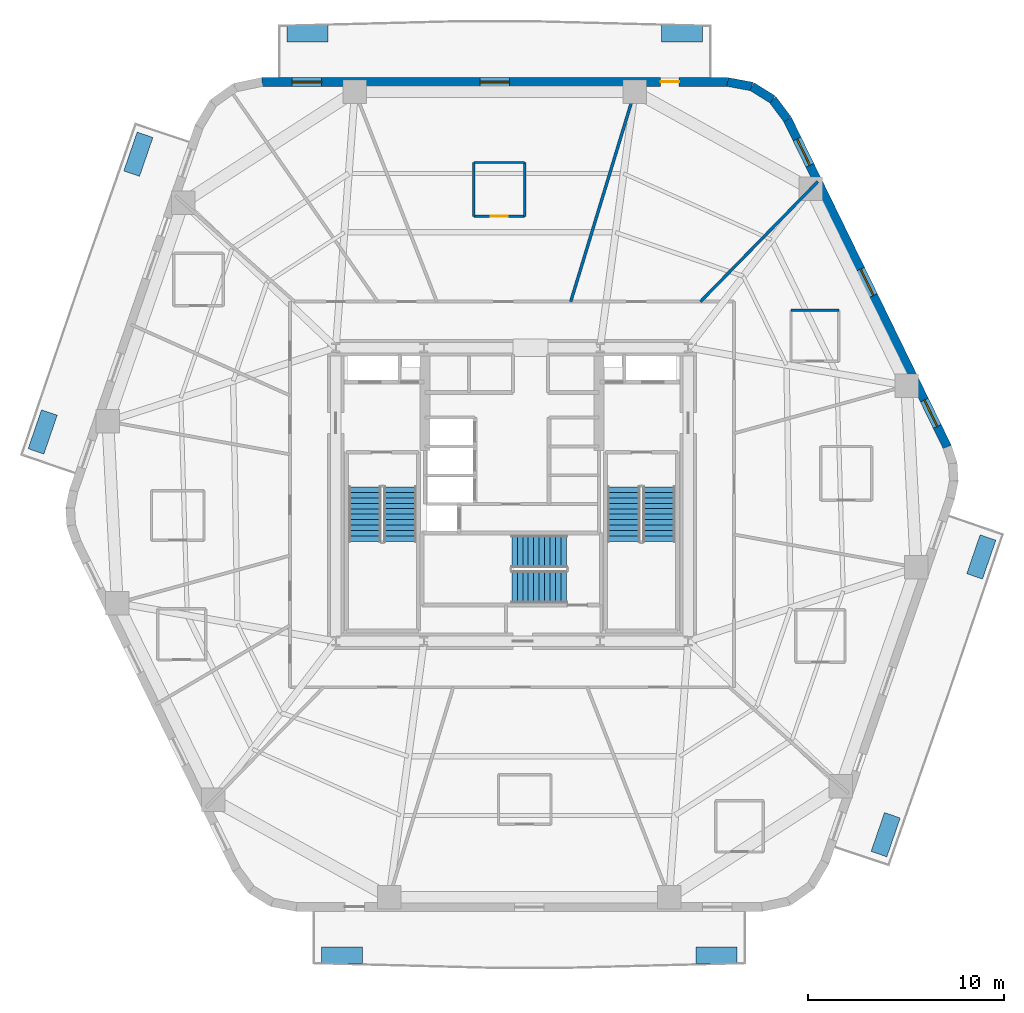
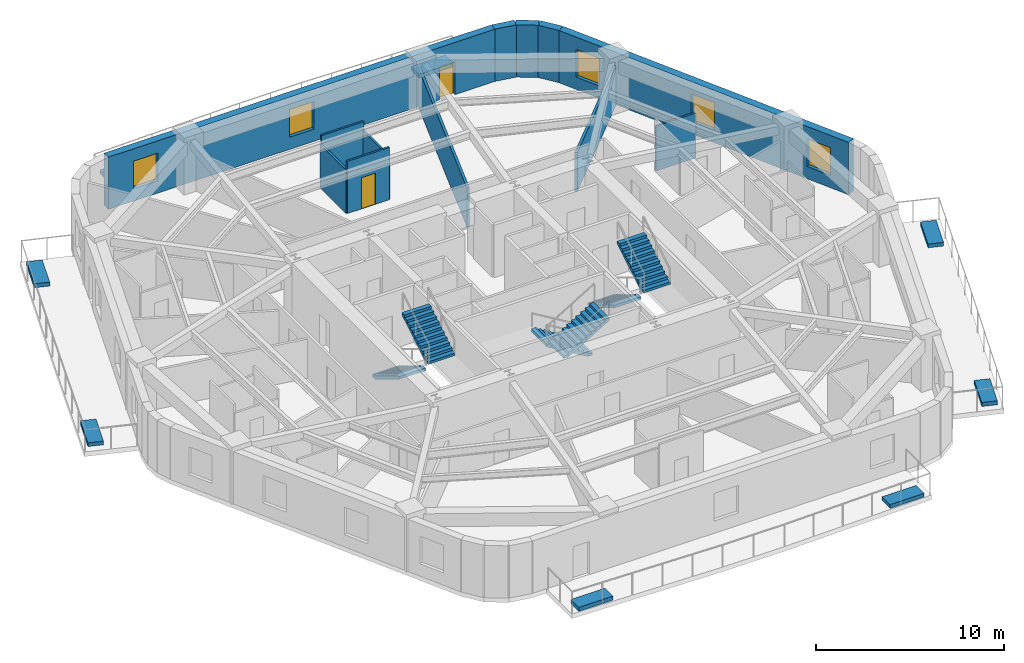
# One storey, part 6 of 8: 12 walls, 8 discrete accessories, 6 stair flights, 5 windows, 2 doors, 7 openings, 3 elements without a shape of their own.
"""IFC4 building model written with IfcOpenShell, lengths in metres."""

from ifc_helpers import new_model, si_unit, direction, frame, frame_2d, origin, origin_2d, place, context, subcontext, project, spatial, polyline, rectangle, outline, extrude, material, layer, layer_set, type_object, element, fill, aggregate, save


model = new_model("IFC4")

# Units and contexts
model_context = context("Model", 3, precision=1e-05, world=origin(), true_north=direction((0.0, 1.0)))
body_context = subcontext(model_context, "Body", "Model", "MODEL_VIEW")
ifc_project = project(units=[si_unit("LENGTHUNIT", "METRE"), si_unit("AREAUNIT", "SQUARE_METRE"), si_unit("VOLUMEUNIT", "CUBIC_METRE"), si_unit("PLANEANGLEUNIT", "RADIAN"), si_unit("MASSUNIT", "GRAM", prefix="KILO")], contexts=[model_context])

# Site, building, storey
site_placement = place(None, origin())
site = spatial("IfcSite", under=ifc_project, at=site_placement, CompositionType="ELEMENT")
building_placement = place(site_placement, origin())
building = spatial("IfcBuilding", under=site, at=building_placement, Name="Kilnhurst Terrace Hotel", CompositionType="ELEMENT")
storey_placement = place(building_placement, frame((0.0, 0.0, 132.10009765625)))
storey = spatial("IfcBuildingStorey", under=building, at=storey_placement, Name="L32", CompositionType="ELEMENT", Elevation=132.10009765625)

# Walls
ifc_material_1 = material(Name="Precast concrete C40/50", Category="concrete")
ifc_layer_1 = layer(ifc_material_1, 0.449951171875, Name="Precast concrete C40/50")
ifc_layer_set_1 = layer_set([ifc_layer_1], Name="Precast concrete C40/50")
wall_type_1 = type_object("IfcWallType", Name="WL-BRK-450", PredefinedType="SOLIDWALL", material=ifc_layer_set_1)
wall_1_placement = place(storey_placement, frame((14.07568359375, 19.16064453125, 0.0), z_axis=(0.0, 0.0, 1.0), x_axis=(-0.597226657159, 0.802072515412, 0.0)))
element("IfcWall", 1, at=wall_1_placement, inside=storey, type_object=wall_type_1, Name="L32 Rounded Corner Brick Wall C4.1", PredefinedType="SOLIDWALL", context=body_context, shape_type="SweptSolid", body=[
    extrude(rectangle(XDim=1.269287109375, YDim=0.449951171875, at=frame_2d((0.634765625, 0.0))), origin(), (0.0, 0.0, 1.0), 3.39990234375),
])
wall_2_placement = place(storey_placement, frame((13.317626953125, 20.1787109375, 0.0), z_axis=(0.0, 0.0, 1.0), x_axis=(-0.848031272749, 0.529946186362, 0.0)))
element("IfcWall", 2, at=wall_2_placement, inside=storey, type_object=wall_type_1, Name="L32 Rounded Corner Brick Wall C4.2", PredefinedType="SOLIDWALL", context=body_context, shape_type="SweptSolid", body=[
    extrude(rectangle(XDim=1.248046875, YDim=0.449951171875, at=frame_2d((0.6240234375, 0.0))), origin(), (0.0, 0.0, 1.0), 3.39990234375),
])
wall_3_placement = place(storey_placement, frame((12.25927734375, 20.840087890625, 0.0), z_axis=(0.0, 0.0, 1.0), x_axis=(-0.982730354425, 0.185043374624, 0.0)))
element("IfcWall", 3, at=wall_3_placement, inside=storey, type_object=wall_type_1, Name="L32 Rounded Corner Brick Wall C4.3", PredefinedType="SOLIDWALL", context=body_context, shape_type="SweptSolid", body=[
    extrude(rectangle(XDim=1.269287109375, YDim=0.449951171875, at=frame_2d((0.634765625, 0.0))), origin(), (0.0, 0.0, 1.0), 3.39990234375),
])

# Wall, openings, windows
wall_4_placement = place(storey_placement, frame((22.237548828125, 2.426513671875, 0.0), z_axis=(0.0, 0.0, 1.0), x_axis=(-0.438374803278, 0.898792262901, 0.0)))
wall_4 = element("IfcWall", 4, at=wall_4_placement, inside=storey, type_object=wall_type_1, Name="L32 Exterior Brick Facade Wall F3", PredefinedType="SOLIDWALL", context=body_context, shape_type="SweptSolid", body=[
    extrude(rectangle(XDim=18.618408203125, YDim=0.449951171875, at=frame_2d((9.30908203125, 0.0))), origin(), (0.0, 0.0, 1.0), 3.39990234375),
])
opening_1_placement = place(wall_4_placement, frame((8.610107421875, 0.0, 0.800048828125)))
opening_1 = element("IfcOpeningElement", 5, at=opening_1_placement, cuts=wall_4, Name="Opening W-02", PredefinedType="OPENING", context=body_context, shape_type="SweptSolid", body=[
    extrude(rectangle(XDim=1.5, YDim=1.800048828125, at=frame_2d((0.75, 0.89990234375))), frame((0.0, 0.23486328125, 0.0), z_axis=(0.0, -1.0, 0.0), x_axis=(1.0, 0.0, 0.0)), (0.0, 0.0, 1.0), 0.469970703125),
])
opening_2_placement = place(wall_4_placement, frame((16.006103515625, 0.0, 0.800048828125)))
opening_2 = element("IfcOpeningElement", 6, at=opening_2_placement, cuts=wall_4, Name="Opening W-02", PredefinedType="OPENING", context=body_context, shape_type="SweptSolid", body=[
    extrude(rectangle(XDim=1.5, YDim=1.800048828125, at=frame_2d((0.75, 0.89990234375))), frame((0.0, 0.23486328125, 0.0), z_axis=(0.0, -1.0, 0.0), x_axis=(1.0, 0.0, 0.0)), (0.0, 0.0, 1.0), 0.469970703125),
])
opening_3_placement = place(wall_4_placement, frame((1.1630859375, 0.0, 0.800048828125)))
opening_3 = element("IfcOpeningElement", 7, at=opening_3_placement, cuts=wall_4, Name="Opening W-02", PredefinedType="OPENING", context=body_context, shape_type="SweptSolid", body=[
    extrude(rectangle(XDim=1.5, YDim=1.800048828125, at=frame_2d((0.75, 0.89990234375))), frame((0.0, 0.23486328125, 0.0), z_axis=(0.0, -1.0, 0.0), x_axis=(1.0, 0.0, 0.0)), (0.0, 0.0, 1.0), 0.469970703125),
])
ifc_material_2 = material(Name="Thermally Broken Bronze Aluminium Alloy 6063-T6 and Low-E Glass", Category="aluminium")
window_type = type_object("IfcWindowType", Name="WIN-1500X1800", PartitioningType="SINGLE_PANEL", PredefinedType="WINDOW", material=ifc_material_2)
window_1_placement = place(opening_1_placement, origin())
window_1 = element("IfcWindow", 8, at=window_1_placement, inside=storey, type_object=window_type, Name="L32 Deep-Set Masonry Window F3.1", OverallHeight=1.800048828125, OverallWidth=1.5, PartitioningType="SINGLE_PANEL", PredefinedType="WINDOW", context=body_context, shape_type="SweptSolid", body=[
    extrude(rectangle(XDim=1.5, YDim=1.800048828125, at=frame_2d((0.75, 0.89990234375))), frame((0.0, 0.030029296875, 0.0), z_axis=(0.0, -1.0, 0.0), x_axis=(1.0, 0.0, 0.0)), (0.0, 0.0, 1.0), 0.06005859375),
])
fill(opening_1, window_1)
window_2_placement = place(opening_2_placement, origin())
window_2 = element("IfcWindow", 9, at=window_2_placement, inside=storey, type_object=window_type, Name="L32 Deep-Set Masonry Window F3.2", OverallHeight=1.800048828125, OverallWidth=1.5, PartitioningType="SINGLE_PANEL", PredefinedType="WINDOW", context=body_context, shape_type="SweptSolid", body=[
    extrude(rectangle(XDim=1.5, YDim=1.800048828125, at=frame_2d((0.75, 0.89990234375))), frame((0.0, 0.030029296875, 0.0), z_axis=(0.0, -1.0, 0.0), x_axis=(1.0, 0.0, 0.0)), (0.0, 0.0, 1.0), 0.06005859375),
])
fill(opening_2, window_2)
window_3_placement = place(opening_3_placement, origin())
window_3 = element("IfcWindow", 10, at=window_3_placement, inside=storey, type_object=window_type, Name="L32 Deep-Set Masonry Window F3.3", OverallHeight=1.800048828125, OverallWidth=1.5, PartitioningType="SINGLE_PANEL", PredefinedType="WINDOW", context=body_context, shape_type="SweptSolid", body=[
    extrude(rectangle(XDim=1.5, YDim=1.800048828125, at=frame_2d((0.75, 0.89990234375))), frame((0.0, 0.030029296875, 0.0), z_axis=(0.0, -1.0, 0.0), x_axis=(1.0, 0.0, 0.0)), (0.0, 0.0, 1.0), 0.06005859375),
])
fill(opening_3, window_3)

# Wall, openings, door, windows
wall_5_placement = place(storey_placement, frame((11.011962890625, 21.074951171875, 0.0), z_axis=(0.0, 0.0, 1.0), x_axis=(-1.0, 0.0, 0.0)))
wall_5 = element("IfcWall", 11, at=wall_5_placement, inside=storey, type_object=wall_type_1, Name="L32 Exterior Brick Facade Wall F4", PredefinedType="SOLIDWALL", context=body_context, shape_type="SweptSolid", body=[
    extrude(rectangle(XDim=23.782470703125, YDim=0.449951171875, at=frame_2d((11.89111328125, 0.0))), origin(), (0.0, 0.0, 1.0), 3.39990234375),
])
opening_4_placement = place(wall_5_placement, frame((2.472900390625, 0.0, 0.0)))
opening_4 = element("IfcOpeningElement", 12, at=opening_4_placement, cuts=wall_5, Name="Opening BD-950", PredefinedType="OPENING", context=body_context, shape_type="SweptSolid", body=[
    extrude(rectangle(XDim=0.949951171875, YDim=2.14990234375, at=frame_2d((0.47509765625, 1.074951171875))), frame((0.0, 0.23486328125, 0.0), z_axis=(0.0, -1.0, 0.0), x_axis=(1.0, 0.0, 0.0)), (0.0, 0.0, 1.0), 0.469970703125),
])
opening_5_placement = place(wall_5_placement, frame((11.14208984375, 0.0, 0.800048828125)))
opening_5 = element("IfcOpeningElement", 13, at=opening_5_placement, cuts=wall_5, Name="Opening W-02", PredefinedType="OPENING", context=body_context, shape_type="SweptSolid", body=[
    extrude(rectangle(XDim=1.5, YDim=1.800048828125, at=frame_2d((0.75, 0.89990234375))), frame((0.0, 0.23486328125, 0.0), z_axis=(0.0, -1.0, 0.0), x_axis=(1.0, 0.0, 0.0)), (0.0, 0.0, 1.0), 0.469970703125),
])
opening_6_placement = place(wall_5_placement, frame((20.740966796875, 0.0, 0.800048828125)))
opening_6 = element("IfcOpeningElement", 14, at=opening_6_placement, cuts=wall_5, Name="Opening W-02", PredefinedType="OPENING", context=body_context, shape_type="SweptSolid", body=[
    extrude(rectangle(XDim=1.5, YDim=1.800048828125, at=frame_2d((0.75, 0.89990234375))), frame((0.0, 0.23486328125, 0.0), z_axis=(0.0, -1.0, 0.0), x_axis=(1.0, 0.0, 0.0)), (0.0, 0.0, 1.0), 0.469970703125),
])
ifc_material_3 = material(Name="Thermally Broken Bronze Aluminium Alloy 6063-T6 and Laminated Glass", Category="aluminium")
door_type_1 = type_object("IfcDoorType", Name="DR-EXT-BAL-950", OperationType="NOTDEFINED", PredefinedType="DOOR", material=ifc_material_3)
door_1_placement = place(opening_4_placement, origin())
door_1 = element("IfcDoor", 15, at=door_1_placement, inside=storey, type_object=door_type_1, Name="L32 Planted Balcony Door BAL-L2A", OperationType="SINGLE_SWING_RIGHT", OverallHeight=2.14990234375, OverallWidth=0.949951171875, PredefinedType="DOOR", context=body_context, shape_type="SweptSolid", body=[
    extrude(rectangle(XDim=0.949951171875, YDim=2.14990234375, at=frame_2d((0.47509765625, 1.074951171875))), frame((0.0, 0.02490234375, 0.0), z_axis=(0.0, -1.0, 0.0), x_axis=(1.0, 0.0, 0.0)), (0.0, 0.0, 1.0), 0.050048828125),
])
fill(opening_4, door_1)
window_4_placement = place(opening_5_placement, origin())
window_4 = element("IfcWindow", 16, at=window_4_placement, inside=storey, type_object=window_type, Name="L32 Deep-Set Masonry Window F4.1", OverallHeight=1.800048828125, OverallWidth=1.5, PartitioningType="SINGLE_PANEL", PredefinedType="WINDOW", context=body_context, shape_type="SweptSolid", body=[
    extrude(rectangle(XDim=1.5, YDim=1.800048828125, at=frame_2d((0.75, 0.89990234375))), frame((0.0, 0.030029296875, 0.0), z_axis=(0.0, -1.0, 0.0), x_axis=(1.0, 0.0, 0.0)), (0.0, 0.0, 1.0), 0.06005859375),
])
fill(opening_5, window_4)
window_5_placement = place(opening_6_placement, origin())
window_5 = element("IfcWindow", 17, at=window_5_placement, inside=storey, type_object=window_type, Name="L32 Deep-Set Masonry Window F4.2", OverallHeight=1.800048828125, OverallWidth=1.5, PartitioningType="SINGLE_PANEL", PredefinedType="WINDOW", context=body_context, shape_type="SweptSolid", body=[
    extrude(rectangle(XDim=1.5, YDim=1.800048828125, at=frame_2d((0.75, 0.89990234375))), frame((0.0, 0.030029296875, 0.0), z_axis=(0.0, -1.0, 0.0), x_axis=(1.0, 0.0, 0.0)), (0.0, 0.0, 1.0), 0.06005859375),
])
fill(opening_6, window_5)

# Walls
ifc_material_4 = material(Name="STC-58 Acoustic Twin-Frame Guestroom Demising Partition")
ifc_layer_2 = layer(ifc_material_4, 0.14990234375, Name="STC-58 Acoustic Twin-Frame Guestroom Demising Partition")
ifc_layer_set_2 = layer_set([ifc_layer_2], Name="STC-58 Acoustic Twin-Frame Guestroom Demising Partition")
wall_type_2 = type_object("IfcWallType", Name="WL-DEM-150", PredefinedType="PARTITIONING", material=ifc_layer_set_2)
wall_6_placement = place(storey_placement, frame((9.6279296875, 9.85009765625, 0.0), z_axis=(0.0, 0.0, 1.0), x_axis=(0.698992824326, 0.715128681805, 0.0)))
element("IfcWall", 18, at=wall_6_placement, inside=storey, type_object=wall_type_2, Name="L32 Interior Wall WL-L32-DEM-COL02-02-1", PredefinedType="PARTITIONING", context=body_context, shape_type="SweptSolid", body=[
    extrude(rectangle(XDim=8.578857421875, YDim=0.14990234375, at=frame_2d((4.28955078125, 0.0))), origin(), (0.0, 0.0, 1.0), 2.539794921875),
])
wall_7_placement = place(storey_placement, frame((3.0, 9.85009765625, 0.0), z_axis=(0.0, 0.0, 1.0), x_axis=(0.291352035382, 0.95661590593, 0.0)))
element("IfcWall", 19, at=wall_7_placement, inside=storey, type_object=wall_type_2, Name="L32 Interior Wall WL-L32-DEM-COL03-03-1", PredefinedType="PARTITIONING", context=body_context, shape_type="SweptSolid", body=[
    extrude(rectangle(XDim=11.73388671875, YDim=0.14990234375, at=frame_2d((5.866943359375, 0.0))), origin(), (0.0, 0.0, 1.0), 2.539794921875),
])
ifc_material_5 = material(Name="120 mm Moisture-Resistant Tile-Backed Bathroom Partition")
ifc_layer_3 = layer(ifc_material_5, 0.1201171875, Name="120 mm Moisture-Resistant Tile-Backed Bathroom Partition")
ifc_layer_set_3 = layer_set([ifc_layer_3], Name="120 mm Moisture-Resistant Tile-Backed Bathroom Partition")
wall_type_3 = type_object("IfcWallType", Name="WL-PART-120", PredefinedType="PARTITIONING", material=ifc_layer_set_3)
wall_8_placement = place(storey_placement, frame((16.695068359375, 9.409912109375, 0.0), z_axis=(0.0, 0.0, 1.0), x_axis=(-1.0, 0.0, 0.0)))
element("IfcWall", 20, at=wall_8_placement, inside=storey, type_object=wall_type_3, Name="L32 Interior Wall WL-L32-BTH-01-3", PredefinedType="PARTITIONING", context=body_context, shape_type="SweptSolid", body=[
    extrude(rectangle(XDim=2.440185546875, YDim=0.1201171875, at=frame_2d((1.22021484375, 0.0))), origin(), (0.0, 0.0, 1.0), 2.926513671875),
])

# Wall, opening, door
wall_9_placement = place(storey_placement, frame((-1.951904296875, 14.2119140625, 0.0), z_axis=(0.0, 0.0, 1.0), x_axis=(1.0, 0.0, 0.0)))
wall_9 = element("IfcWall", 21, at=wall_9_placement, inside=storey, type_object=wall_type_3, Name="L32 Interior Wall WL-L32-BTH-03-1", PredefinedType="PARTITIONING", context=body_context, shape_type="SweptSolid", body=[
    extrude(rectangle(XDim=2.599853515625, YDim=0.1201171875, at=frame_2d((1.2998046875, 0.0))), origin(), (0.0, 0.0, 1.0), 3.39990234375),
])
opening_7_placement = place(wall_9_placement, frame((0.875, 0.0, 0.0)))
opening_7 = element("IfcOpeningElement", 22, at=opening_7_placement, cuts=wall_9, Name="Opening D-08A", PredefinedType="OPENING", context=body_context, shape_type="SweptSolid", body=[
    extrude(rectangle(XDim=0.85009765625, YDim=2.030029296875, at=frame_2d((0.425048828125, 1.01513671875))), frame((0.0, 0.070068359375, 0.0), z_axis=(0.0, -1.0, 0.0), x_axis=(1.0, 0.0, 0.0)), (0.0, 0.0, 1.0), 0.14013671875),
])
ifc_material_6 = material(Name="Moisture-Resistant Lacquered En-suite Bathroom Door")
door_type_2 = type_object("IfcDoorType", Name="DR-INT-850", OperationType="NOTDEFINED", PredefinedType="DOOR", material=ifc_material_6)
door_2_placement = place(opening_7_placement, origin())
door_2 = element("IfcDoor", 23, at=door_2_placement, inside=storey, type_object=door_type_2, Name="L32 En-suite Bathroom Door 3", OperationType="SINGLE_SWING_RIGHT", OverallHeight=2.030029296875, OverallWidth=0.85009765625, PredefinedType="DOOR", context=body_context, shape_type="SweptSolid", body=[
    extrude(rectangle(XDim=0.85009765625, YDim=2.030029296875, at=frame_2d((0.425048828125, 1.01513671875))), frame((0.0, 0.02490234375, 0.0), z_axis=(0.0, -1.0, 0.0), x_axis=(1.0, 0.0, 0.0)), (0.0, 0.0, 1.0), 0.050048828125),
])
fill(opening_7, door_2)

# Walls
wall_10_placement = place(storey_placement, frame((0.64794921875, 14.2119140625, 0.0), z_axis=(0.0, 0.0, 1.0), x_axis=(0.0, 1.0, 0.0)))
element("IfcWall", 24, at=wall_10_placement, inside=storey, type_object=wall_type_3, Name="L32 Interior Wall WL-L32-BTH-03-2", PredefinedType="PARTITIONING", context=body_context, shape_type="SweptSolid", body=[
    extrude(rectangle(XDim=2.75, YDim=0.1201171875, at=frame_2d((1.375, 0.0))), origin(), (0.0, 0.0, 1.0), 2.84033203125),
])
wall_11_placement = place(storey_placement, frame((0.64794921875, 16.9619140625, 0.0), z_axis=(0.0, 0.0, 1.0), x_axis=(-1.0, 0.0, 0.0)))
element("IfcWall", 25, at=wall_11_placement, inside=storey, type_object=wall_type_3, Name="L32 Interior Wall WL-L32-BTH-03-3", PredefinedType="PARTITIONING", context=body_context, shape_type="SweptSolid", body=[
    extrude(rectangle(XDim=2.599853515625, YDim=0.1201171875, at=frame_2d((1.2998046875, 0.0))), origin(), (0.0, 0.0, 1.0), 3.39990234375),
])
wall_12_placement = place(storey_placement, frame((-1.951904296875, 16.9619140625, 0.0), z_axis=(0.0, 0.0, 1.0), x_axis=(0.0, -1.0, 0.0)))
element("IfcWall", 26, at=wall_12_placement, inside=storey, type_object=wall_type_3, Name="L32 Interior Wall WL-L32-BTH-03-4", PredefinedType="PARTITIONING", context=body_context, shape_type="SweptSolid", body=[
    extrude(rectangle(XDim=2.75, YDim=0.1201171875, at=frame_2d((1.375, 0.0))), origin(), (0.0, 0.0, 1.0), 2.84033203125),
])

# Stair, stair flights
ifc_material_7 = material(Name="Concrete C50/60", Category="concrete")
stair_type = type_object("IfcStairType", Name="STR-CORE-1660", PredefinedType="HALF_TURN_STAIR", material=ifc_material_7)
stair_1_placement = place(storey_placement, origin())
stair_1 = element("IfcStair", 27, at=stair_1_placement, inside=storey, type_object=stair_type, Name="L32 ST-1", PredefinedType="HALF_TURN_STAIR")
stair_flight_type = type_object("IfcStairFlightType", Name="FLT-RC-1660", PredefinedType="STRAIGHT", material=ifc_material_7)
stair_flight_1_placement = place(storey_placement, frame((-7.52001953125, 0.389892578125, 0.0), z_axis=(0.0, 0.0, 1.0), x_axis=(0.0, -1.0, 0.0)))
stair_flight_1 = element("IfcStairFlight", 28, at=stair_flight_1_placement, type_object=stair_flight_type, Name="ST-1 flight 1", NumberOfRisers=11, NumberOfTreads=10, PredefinedType="STRAIGHT", RiserHeight=0.168181818, TreadLength=0.28, context=body_context, shape_type="SweptSolid", body=[
    extrude(outline(polyline([(0.0, 0.0), (0.0, 0.168212890625), (0.280029296875, 0.168212890625), (0.280029296875, 0.33642578125), (0.56005859375, 0.33642578125), (0.56005859375, 0.504638671875), (0.840087890625, 0.504638671875), (0.840087890625, 0.672607421875), (1.1201171875, 0.672607421875), (1.1201171875, 0.8408203125), (1.39990234375, 0.8408203125), (1.39990234375, 1.009033203125), (1.679931640625, 1.009033203125), (1.679931640625, 1.17724609375), (1.9599609375, 1.17724609375), (1.9599609375, 1.345458984375), (2.239990234375, 1.345458984375), (2.239990234375, 1.513671875), (2.52001953125, 1.513671875), (2.52001953125, 1.681884765625), (2.800048828125, 1.681884765625), (2.800048828125, 1.85009765625), (2.800048828125, 1.5068359375), (0.291015625, 0.0), (0.0, 0.0)])), frame((0.0, 0.830078125, 0.0), z_axis=(0.0, -1.0, 0.0), x_axis=(1.0, 0.0, 0.0)), (0.0, 0.0, 1.0), 1.659912109375),
])
stair_flight_2_placement = place(storey_placement, frame((-5.7099609375, -2.409912109375, 1.849853515625), z_axis=(0.0, 0.0, 1.0), x_axis=(0.0, 1.0, 0.0)))
stair_flight_2 = element("IfcStairFlight", 29, at=stair_flight_2_placement, type_object=stair_flight_type, Name="ST-1 flight 2", NumberOfRisers=11, NumberOfTreads=10, PredefinedType="STRAIGHT", RiserHeight=0.168181818, TreadLength=0.28, context=body_context, shape_type="SweptSolid", body=[
    extrude(outline(polyline([(0.0, 0.0), (0.0, 0.168212890625), (0.280029296875, 0.168212890625), (0.280029296875, 0.33642578125), (0.56005859375, 0.33642578125), (0.56005859375, 0.504638671875), (0.840087890625, 0.504638671875), (0.840087890625, 0.672607421875), (1.1201171875, 0.672607421875), (1.1201171875, 0.8408203125), (1.39990234375, 0.8408203125), (1.39990234375, 1.009033203125), (1.679931640625, 1.009033203125), (1.679931640625, 1.17724609375), (1.9599609375, 1.17724609375), (1.9599609375, 1.345458984375), (2.239990234375, 1.345458984375), (2.239990234375, 1.513671875), (2.52001953125, 1.513671875), (2.52001953125, 1.681884765625), (2.800048828125, 1.681884765625), (2.800048828125, 1.85009765625), (2.800048828125, 1.5068359375), (0.291015625, 0.0), (0.0, 0.0)])), frame((0.0, 0.830078125, 0.0), z_axis=(0.0, -1.0, 0.0), x_axis=(1.0, 0.0, 0.0)), (0.0, 0.0, 1.0), 1.659912109375),
])
aggregate(stair_1, [stair_flight_1, stair_flight_2])

stair_2_placement = place(storey_placement, origin())
stair_2 = element("IfcStair", 30, at=stair_2_placement, inside=storey, type_object=stair_type, Name="L32 ST-2", PredefinedType="HALF_TURN_STAIR")
stair_flight_3_placement = place(storey_placement, frame((5.7099609375, 0.389892578125, 0.0), z_axis=(0.0, 0.0, 1.0), x_axis=(0.0, -1.0, 0.0)))
stair_flight_3 = element("IfcStairFlight", 31, at=stair_flight_3_placement, type_object=stair_flight_type, Name="ST-2 flight 1", NumberOfRisers=11, NumberOfTreads=10, PredefinedType="STRAIGHT", RiserHeight=0.168181818, TreadLength=0.28, context=body_context, shape_type="SweptSolid", body=[
    extrude(outline(polyline([(0.0, 0.0), (0.0, 0.168212890625), (0.280029296875, 0.168212890625), (0.280029296875, 0.33642578125), (0.56005859375, 0.33642578125), (0.56005859375, 0.504638671875), (0.840087890625, 0.504638671875), (0.840087890625, 0.672607421875), (1.1201171875, 0.672607421875), (1.1201171875, 0.8408203125), (1.39990234375, 0.8408203125), (1.39990234375, 1.009033203125), (1.679931640625, 1.009033203125), (1.679931640625, 1.17724609375), (1.9599609375, 1.17724609375), (1.9599609375, 1.345458984375), (2.239990234375, 1.345458984375), (2.239990234375, 1.513671875), (2.52001953125, 1.513671875), (2.52001953125, 1.681884765625), (2.800048828125, 1.681884765625), (2.800048828125, 1.85009765625), (2.800048828125, 1.5068359375), (0.291015625, 0.0), (0.0, 0.0)])), frame((0.0, 0.830078125, 0.0), z_axis=(0.0, -1.0, 0.0), x_axis=(1.0, 0.0, 0.0)), (0.0, 0.0, 1.0), 1.659912109375),
])
stair_flight_4_placement = place(storey_placement, frame((7.52001953125, -2.409912109375, 1.849853515625), z_axis=(0.0, 0.0, 1.0), x_axis=(0.0, 1.0, 0.0)))
stair_flight_4 = element("IfcStairFlight", 32, at=stair_flight_4_placement, type_object=stair_flight_type, Name="ST-2 flight 2", NumberOfRisers=11, NumberOfTreads=10, PredefinedType="STRAIGHT", RiserHeight=0.168181818, TreadLength=0.28, context=body_context, shape_type="SweptSolid", body=[
    extrude(outline(polyline([(0.0, 0.0), (0.0, 0.168212890625), (0.280029296875, 0.168212890625), (0.280029296875, 0.33642578125), (0.56005859375, 0.33642578125), (0.56005859375, 0.504638671875), (0.840087890625, 0.504638671875), (0.840087890625, 0.672607421875), (1.1201171875, 0.672607421875), (1.1201171875, 0.8408203125), (1.39990234375, 0.8408203125), (1.39990234375, 1.009033203125), (1.679931640625, 1.009033203125), (1.679931640625, 1.17724609375), (1.9599609375, 1.17724609375), (1.9599609375, 1.345458984375), (2.239990234375, 1.345458984375), (2.239990234375, 1.513671875), (2.52001953125, 1.513671875), (2.52001953125, 1.681884765625), (2.800048828125, 1.681884765625), (2.800048828125, 1.85009765625), (2.800048828125, 1.5068359375), (0.291015625, 0.0), (0.0, 0.0)])), frame((0.0, 0.830078125, 0.0), z_axis=(0.0, -1.0, 0.0), x_axis=(1.0, 0.0, 0.0)), (0.0, 0.0, 1.0), 1.659912109375),
])
aggregate(stair_2, [stair_flight_3, stair_flight_4])

stair_3_placement = place(storey_placement, origin())
stair_3 = element("IfcStair", 33, at=stair_3_placement, inside=storey, type_object=stair_type, Name="L32 ST-3", PredefinedType="HALF_TURN_STAIR")
stair_flight_5_placement = place(storey_placement, frame((2.7900390625, -2.909912109375, 0.0), z_axis=(0.0, 0.0, 1.0), x_axis=(-1.0, 0.0, 0.0)))
stair_flight_5 = element("IfcStairFlight", 34, at=stair_flight_5_placement, type_object=stair_flight_type, Name="ST-3 flight 1", NumberOfRisers=11, NumberOfTreads=10, PredefinedType="STRAIGHT", RiserHeight=0.168181818, TreadLength=0.28, context=body_context, shape_type="SweptSolid", body=[
    extrude(outline(polyline([(0.0, 0.0), (0.0, 0.168212890625), (0.280029296875, 0.168212890625), (0.280029296875, 0.33642578125), (0.56005859375, 0.33642578125), (0.56005859375, 0.504638671875), (0.840087890625, 0.504638671875), (0.840087890625, 0.672607421875), (1.1201171875, 0.672607421875), (1.1201171875, 0.8408203125), (1.39990234375, 0.8408203125), (1.39990234375, 1.009033203125), (1.679931640625, 1.009033203125), (1.679931640625, 1.17724609375), (1.9599609375, 1.17724609375), (1.9599609375, 1.345458984375), (2.239990234375, 1.345458984375), (2.239990234375, 1.513671875), (2.52001953125, 1.513671875), (2.52001953125, 1.681884765625), (2.800048828125, 1.681884765625), (2.800048828125, 1.85009765625), (2.800048828125, 1.5068359375), (0.291015625, 0.0), (0.0, 0.0)])), frame((0.0, 0.830078125, 0.0), z_axis=(0.0, -1.0, 0.0), x_axis=(1.0, 0.0, 0.0)), (0.0, 0.0, 1.0), 1.659912109375),
])
stair_flight_6_placement = place(storey_placement, frame((-0.010009765625, -4.719970703125, 1.849853515625), z_axis=(0.0, 0.0, 1.0), x_axis=(1.0, 0.0, 0.0)))
stair_flight_6 = element("IfcStairFlight", 35, at=stair_flight_6_placement, type_object=stair_flight_type, Name="ST-3 flight 2", NumberOfRisers=11, NumberOfTreads=10, PredefinedType="STRAIGHT", RiserHeight=0.168181818, TreadLength=0.28, context=body_context, shape_type="SweptSolid", body=[
    extrude(outline(polyline([(0.0, 0.0), (0.0, 0.168212890625), (0.280029296875, 0.168212890625), (0.280029296875, 0.33642578125), (0.56005859375, 0.33642578125), (0.56005859375, 0.504638671875), (0.840087890625, 0.504638671875), (0.840087890625, 0.672607421875), (1.1201171875, 0.672607421875), (1.1201171875, 0.8408203125), (1.39990234375, 0.8408203125), (1.39990234375, 1.009033203125), (1.679931640625, 1.009033203125), (1.679931640625, 1.17724609375), (1.9599609375, 1.17724609375), (1.9599609375, 1.345458984375), (2.239990234375, 1.345458984375), (2.239990234375, 1.513671875), (2.52001953125, 1.513671875), (2.52001953125, 1.681884765625), (2.800048828125, 1.681884765625), (2.800048828125, 1.85009765625), (2.800048828125, 1.5068359375), (0.291015625, 0.0), (0.0, 0.0)])), frame((0.0, 0.830078125, 0.0), z_axis=(0.0, -1.0, 0.0), x_axis=(1.0, 0.0, 0.0)), (0.0, 0.0, 1.0), 1.659912109375),
])
aggregate(stair_3, [stair_flight_5, stair_flight_6])

# Discrete accessories
ifc_material_8 = material(Name="Precast Concrete C40/50 Shrub Planter", Category="concrete")
discrete_accessory_type_1 = type_object("IfcDiscreteAccessoryType", Name="PLN-SHRUB-240", PredefinedType="USERDEFINED", material=ifc_material_8)
for number, where, z_axis, x_axis, name in (
    (36, (10.443603515625, -23.550048828125, 0.0), (0.0, 0.0, 1.0), (1.0, 0.0, 0.0), "L32 Structural Tree Planter Box PLANTER BAL-L1A.2"),
    (37, (23.9765625, -3.193115234375, 0.0), (0.0, 0.0, 1.0), (0.325601159083, 0.945507210551, 0.0), "L32 Structural Tree Planter Box PLANTER BAL-L1B.2"),
    (38, (-10.443603515625, 23.550048828125, 0.0), (0.0, 0.0, 1.0), (-1.0, 0.0, 0.0), "L32 Structural Tree Planter Box PLANTER BAL-L2A.2"),
    (39, (-23.9765625, 3.193115234375, 0.0), (0.0, 0.0, 1.0), (-0.325601159083, -0.945507210551, 0.0), "L32 Structural Tree Planter Box PLANTER BAL-L2B.2"),
):
    element("IfcDiscreteAccessory", number, at=place(storey_placement, frame(where, z_axis=z_axis, x_axis=x_axis)), inside=storey, type_object=discrete_accessory_type_1, Name=name, ObjectType="PLANTER", PredefinedType="USERDEFINED", context=body_context, shape_type="SweptSolid", body=[
        extrude(rectangle(XDim=2.10009765625, YDim=0.85009765625, at=origin_2d()), origin(), (0.0, 0.0, 1.0), 0.239990234375),
    ])
ifc_material_9 = material(Name="Precast Concrete C40/50 Tree Planter", Category="concrete")
discrete_accessory_type_2 = type_object("IfcDiscreteAccessoryType", Name="PLN-TREE-260", PredefinedType="USERDEFINED", material=ifc_material_9)
for number, where, z_axis, x_axis, name in (
    (40, (-8.68310546875, -23.550048828125, 0.0), (0.0, 0.0, 1.0), (1.0, 0.0, 0.0), "L32 Structural Tree Planter Box PLANTER BAL-L1A.1"),
    (41, (19.090087890625, -17.3828125, 0.0), (0.0, 0.0, 1.0), (0.325601159083, 0.945507210551, 0.0), "L32 Structural Tree Planter Box PLANTER BAL-L1B.1"),
    (42, (8.68310546875, 23.550048828125, 0.0), (0.0, 0.0, 1.0), (-1.0, 0.0, 0.0), "L32 Structural Tree Planter Box PLANTER BAL-L2A.1"),
    (43, (-19.090087890625, 17.3828125, 0.0), (0.0, 0.0, 1.0), (-0.325601159083, -0.945507210551, 0.0), "L32 Structural Tree Planter Box PLANTER BAL-L2B.1"),
):
    element("IfcDiscreteAccessory", number, at=place(storey_placement, frame(where, z_axis=z_axis, x_axis=x_axis)), inside=storey, type_object=discrete_accessory_type_2, Name=name, ObjectType="PLANTER", PredefinedType="USERDEFINED", context=body_context, shape_type="SweptSolid", body=[
        extrude(rectangle(XDim=2.10009765625, YDim=0.85009765625, at=origin_2d()), origin(), (0.0, 0.0, 1.0), 0.260009765625),
    ])

save(model, "model.ifc")
